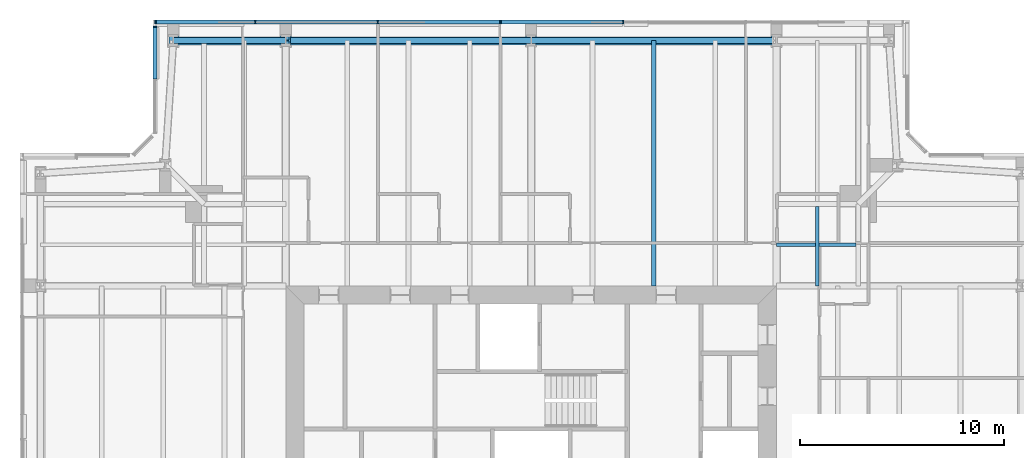
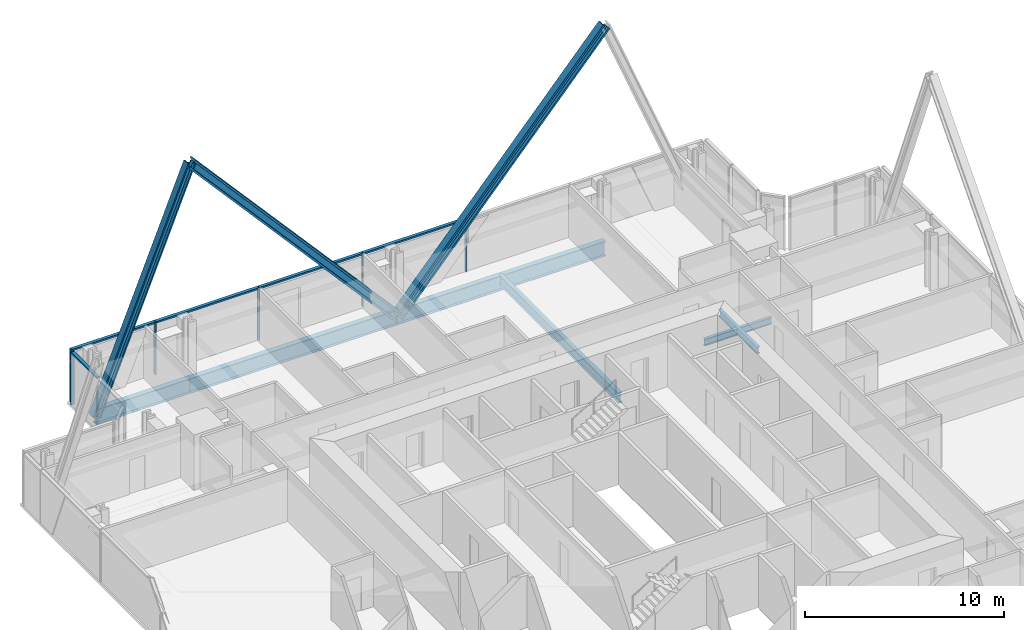
# One storey, part 8 of 20: 14 members, 7 beams, 2 elements without a shape of their own.
"""IFC4 building model written with IfcOpenShell, lengths in metres."""

from ifc_helpers import new_model, si_unit, direction, frame, origin, origin_2d, place, context, subcontext, project, spatial, rectangle, i_section, extrude, material, material_profile, profile_set, type_object, element, aggregate, save


model = new_model("IFC4")

# Units and contexts
model_context = context("Model", 3, precision=1e-05, world=origin(), true_north=direction((0.0, 1.0)))
body_context = subcontext(model_context, "Body", "Model", "MODEL_VIEW")
ifc_project = project(units=[si_unit("LENGTHUNIT", "METRE"), si_unit("AREAUNIT", "SQUARE_METRE"), si_unit("VOLUMEUNIT", "CUBIC_METRE"), si_unit("PLANEANGLEUNIT", "RADIAN"), si_unit("MASSUNIT", "GRAM", prefix="KILO")], contexts=[model_context])

# Site, building, storey
site_placement = place(None, origin())
site = spatial("IfcSite", under=ifc_project, at=site_placement, CompositionType="ELEMENT")
building_placement = place(site_placement, origin())
building = spatial("IfcBuilding", under=site, at=building_placement, Name="Fenwick Lantern Interchange", CompositionType="ELEMENT")
storey_placement = place(building_placement, frame((0.0, 0.0, 256.0)))
storey = spatial("IfcBuildingStorey", under=building, at=storey_placement, Name="L60", CompositionType="ELEMENT", Elevation=256.0)

# Beams
ifc_material_1 = material(Name="Steel ASTM A992 Grade 50", Category="steel")
ifc_material_profile_1 = material_profile(ifc_material_1, i_section(OverallWidth=0.3046875, OverallDepth=0.911865234375, WebThickness=0.015869140625, FlangeThickness=0.02392578125, at=origin_2d()), Name="W36X150")
ifc_profile_set_1 = profile_set([ifc_material_profile_1], Name="Steel ASTM A992 Grade 50")
beam_type_1 = type_object("IfcBeamType", Name="EDGE BEAM W36X150", PredefinedType="SPANDREL", material=ifc_profile_set_1)
for number, where, z_axis, x_axis, name in (
    (1, (37.0, 49.0, -0.60595703125), (-1.0, 0.0, 0.0), (0.0, -1.0, 0.0), "L60/FR/N/EB2"),
    (2, (25.0, 49.0, -0.60595703125), (-1.0, 0.0, 0.0), (0.0, -1.0, 0.0), "L60/FR/N/EB3"),
):
    element("IfcBeam", number, at=place(storey_placement, frame(where, z_axis=z_axis, x_axis=x_axis)), inside=storey, type_object=beam_type_1, Name=name, PredefinedType="SPANDREL", context=body_context, shape_type="SweptSolid", body=[
        extrude(i_section(OverallWidth=0.3046875, OverallDepth=0.911865234375, WebThickness=0.015869140625, FlangeThickness=0.02392578125, at=origin_2d()), origin(), (0.0, 0.0, 1.0), 12.0),
    ])
beam_1_placement = place(storey_placement, frame((13.0, 49.0, -0.60595703125), z_axis=(-1.0, 0.0, 0.0), x_axis=(0.0, -1.0, 0.0)))
element("IfcBeam", 3, at=beam_1_placement, inside=storey, type_object=beam_type_1, Name="L60/FR/N/EB4", PredefinedType="SPANDREL", context=body_context, shape_type="SweptSolid", body=[
    extrude(i_section(OverallWidth=0.3046875, OverallDepth=0.911865234375, WebThickness=0.015869140625, FlangeThickness=0.02392578125, at=origin_2d()), origin(), (0.0, 0.0, 1.0), 5.5),
])

# Members
ifc_material_profile_2 = material_profile(ifc_material_1, i_section(OverallWidth=0.424072265625, OverallDepth=0.47509765625, WebThickness=0.0478515625, FlangeThickness=0.0771484375, at=origin_2d()), Name="W14X426")
ifc_profile_set_2 = profile_set([ifc_material_profile_2], Name="Steel ASTM A992 Grade 50")
member_type_1 = type_object("IfcMemberType", Name="FACADE BRACE W14X426", PredefinedType="BRACE", material=ifc_profile_set_2)
member_1_placement = place(storey_placement, frame((7.5, 49.0, -0.60595703125), z_axis=(0.374911520251, 0.0, 0.927060597794), x_axis=(0.0, 1.0, 0.0)))
element("IfcMember", 4, at=member_1_placement, inside=storey, type_object=member_type_1, Name="L60/FB/N/BE", PredefinedType="BRACE", context=body_context, shape_type="SweptSolid", body=[
    extrude(i_section(OverallWidth=0.424072265625, OverallDepth=0.47509765625, WebThickness=0.0478515625, FlangeThickness=0.0771484375, at=origin_2d()), origin(), (0.0, 0.0, 1.0), 14.670166015625),
])
ifc_material_profile_3 = material_profile(ifc_material_1, i_section(OverallWidth=0.44189453125, OverallDepth=0.53076171875, WebThickness=0.06591796875, FlangeThickness=0.105712890625, at=origin_2d()), Name="W14X605")
ifc_profile_set_3 = profile_set([ifc_material_profile_3], Name="Steel ASTM A992 Grade 50")
member_type_2 = type_object("IfcMemberType", Name="FACADE BRACE W14X605", PredefinedType="BRACE", material=ifc_profile_set_3)
for number, where, z_axis, x_axis, name in (
    (5, (25.0, 49.0, -0.60595703125), (0.661618965899, 0.0, 0.749840212287), (0.0, 1.0, 0.0), "L60/FB/N/A"),
    (6, (25.0, 49.0, -0.60595703125), (-0.661618965899, 0.0, 0.749840212287), (0.0, -1.0, 0.0), "L60/FB/N/B"),
):
    element("IfcMember", number, at=place(storey_placement, frame(where, z_axis=z_axis, x_axis=x_axis)), inside=storey, type_object=member_type_2, Name=name, PredefinedType="BRACE", context=body_context, shape_type="SweptSolid", body=[
        extrude(i_section(OverallWidth=0.44189453125, OverallDepth=0.53076171875, WebThickness=0.06591796875, FlangeThickness=0.105712890625, at=origin_2d()), origin(), (0.0, 0.0, 1.0), 18.13720703125),
    ])

# Beam
ifc_material_profile_4 = material_profile(ifc_material_1, i_section(OverallWidth=0.22900390625, OverallDepth=0.612060546875, WebThickness=0.011962890625, FlangeThickness=0.01953125, at=origin_2d()), Name="W24X84")
ifc_profile_set_4 = profile_set([ifc_material_profile_4], Name="Steel ASTM A992 Grade 50")
beam_type_2 = type_object("IfcBeamType", Name="FLOOR BEAM W24X84", PredefinedType="BEAM", material=ifc_profile_set_4)
beam_2_placement = place(storey_placement, frame((31.0, 49.0, -0.4560546875), z_axis=(0.0, -1.0, 0.0), x_axis=(1.0, 0.0, 0.0)))
element("IfcBeam", 7, at=beam_2_placement, inside=storey, type_object=beam_type_2, Name="L60/FR/N/R03", PredefinedType="BEAM", context=body_context, shape_type="SweptSolid", body=[
    extrude(i_section(OverallWidth=0.22900390625, OverallDepth=0.612060546875, WebThickness=0.011962890625, FlangeThickness=0.01953125, at=origin_2d()), origin(), (0.0, 0.0, 1.0), 12.0),
])

# Curtain wall, members
ifc_material_2 = material(Name="Aluminium curtain wall frame", Category="aluminium")
curtain_wall_type = type_object("IfcCurtainWallType", Name="HOTEL CURTAIN WALL", PredefinedType="USERDEFINED", material=ifc_material_2)
curtain_wall_1_placement = place(storey_placement, origin())
curtain_wall_1 = element("IfcCurtainWall", 8, at=curtain_wall_1_placement, inside=storey, type_object=curtain_wall_type, Name="Hotel curtain wall 09", ObjectType="HOTEL CURTAIN WALL", PredefinedType="USERDEFINED")
ifc_material_3 = material(Name="Aluminium extrusion", Category="aluminium")
ifc_material_profile_5 = material_profile(ifc_material_3, rectangle(XDim=0.179931640625, YDim=0.06005859375, at=origin_2d()), Name="HOTEL CURTAIN WALL MULLION 60 X 180")
ifc_profile_set_5 = profile_set([ifc_material_profile_5], Name="Aluminium extrusion")
member_type_3 = type_object("IfcMemberType", Name="HOTEL CURTAIN WALL MULLION 60 X 180", PredefinedType="MULLION", material=ifc_profile_set_5)
member_2_placement = place(storey_placement, frame((29.5, 49.89990234375, 0.0), z_axis=(0.0, 0.0, 1.0), x_axis=(0.0, -1.0, 0.0)))
member_2 = element("IfcMember", 9, at=member_2_placement, type_object=member_type_3, Name="L60/CW/09/M03", PredefinedType="MULLION", context=body_context, shape_type="SweptSolid", body=[
    extrude(rectangle(XDim=0.179931640625, YDim=0.06005859375, at=origin_2d()), origin(), (0.0, 0.0, 1.0), 3.25),
])
member_3_placement = place(storey_placement, frame((23.5, 49.89990234375, 0.0), z_axis=(0.0, 0.0, 1.0), x_axis=(0.0, -1.0, 0.0)))
member_3 = element("IfcMember", 10, at=member_3_placement, type_object=member_type_3, Name="L60/CW/09/M04", PredefinedType="MULLION", context=body_context, shape_type="SweptSolid", body=[
    extrude(rectangle(XDim=0.179931640625, YDim=0.06005859375, at=origin_2d()), origin(), (0.0, 0.0, 1.0), 3.25),
])
member_4_placement = place(storey_placement, frame((17.5, 49.89990234375, 0.0), z_axis=(0.0, 0.0, 1.0), x_axis=(0.0, -1.0, 0.0)))
member_4 = element("IfcMember", 11, at=member_4_placement, type_object=member_type_3, Name="L60/CW/09/M05", PredefinedType="MULLION", context=body_context, shape_type="SweptSolid", body=[
    extrude(rectangle(XDim=0.179931640625, YDim=0.06005859375, at=origin_2d()), origin(), (0.0, 0.0, 1.0), 3.25),
])
member_5_placement = place(storey_placement, frame((11.5, 49.89990234375, 0.0), z_axis=(0.0, 0.0, 1.0), x_axis=(0.0, -1.0, 0.0)))
member_5 = element("IfcMember", 12, at=member_5_placement, type_object=member_type_3, Name="L60/CW/09/M06", PredefinedType="MULLION", context=body_context, shape_type="SweptSolid", body=[
    extrude(rectangle(XDim=0.179931640625, YDim=0.06005859375, at=origin_2d()), origin(), (0.0, 0.0, 1.0), 3.25),
])
member_6_placement = place(storey_placement, frame((6.6298828125, 49.89990234375, 0.0), z_axis=(0.0, 0.0, 1.0), x_axis=(0.0, -1.0, 0.0)))
member_6 = element("IfcMember", 13, at=member_6_placement, type_object=member_type_3, Name="L60/CW/09/M07", PredefinedType="MULLION", context=body_context, shape_type="SweptSolid", body=[
    extrude(rectangle(XDim=0.179931640625, YDim=0.06005859375, at=origin_2d()), origin(), (0.0, 0.0, 1.0), 3.25),
])

# Curtain wall, member
curtain_wall_2_placement = place(storey_placement, origin())
curtain_wall_2 = element("IfcCurtainWall", 14, at=curtain_wall_2_placement, inside=storey, type_object=curtain_wall_type, Name="Hotel curtain wall 10", ObjectType="HOTEL CURTAIN WALL", PredefinedType="USERDEFINED")
member_7_placement = place(storey_placement, frame((6.60009765625, 49.669921875, 0.0), z_axis=(0.0, 0.0, 1.0), x_axis=(1.0, 0.0, 0.0)))
member_7 = element("IfcMember", 15, at=member_7_placement, type_object=member_type_3, Name="L60/CW/10/M00", PredefinedType="MULLION", context=body_context, shape_type="SweptSolid", body=[
    extrude(rectangle(XDim=0.179931640625, YDim=0.06005859375, at=origin_2d()), origin(), (0.0, 0.0, 1.0), 3.25),
])

# Member
ifc_material_profile_6 = material_profile(ifc_material_3, rectangle(XDim=0.179931640625, YDim=0.10009765625, at=origin_2d()), Name="HOTEL CURTAIN WALL TRANSOM 100 X 180")
ifc_profile_set_6 = profile_set([ifc_material_profile_6], Name="Aluminium extrusion")
member_type_4 = type_object("IfcMemberType", Name="HOTEL CURTAIN WALL TRANSOM 100 X 180", PredefinedType="MULLION", material=ifc_profile_set_6)
member_8_placement = place(storey_placement, frame((29.469970703125, 49.89990234375, 3.199951171875), z_axis=(-1.0, 0.0, 0.0), x_axis=(0.0, -1.0, 0.0)))
member_8 = element("IfcMember", 16, at=member_8_placement, type_object=member_type_4, Name="L60/CW/09/T03", PredefinedType="MULLION", context=body_context, shape_type="SweptSolid", body=[
    extrude(rectangle(XDim=0.179931640625, YDim=0.10009765625, at=origin_2d()), origin(), (0.0, 0.0, 1.0), 5.93994140625),
])

member_9_placement = place(storey_placement, frame((23.469970703125, 49.89990234375, 3.199951171875), z_axis=(-1.0, 0.0, 0.0), x_axis=(0.0, -1.0, 0.0)))
member_9 = element("IfcMember", 17, at=member_9_placement, type_object=member_type_4, Name="L60/CW/09/T04", PredefinedType="MULLION", context=body_context, shape_type="SweptSolid", body=[
    extrude(rectangle(XDim=0.179931640625, YDim=0.10009765625, at=origin_2d()), origin(), (0.0, 0.0, 1.0), 5.93994140625),
])

member_10_placement = place(storey_placement, frame((17.469970703125, 49.89990234375, 3.199951171875), z_axis=(-1.0, 0.0, 0.0), x_axis=(0.0, -1.0, 0.0)))
member_10 = element("IfcMember", 18, at=member_10_placement, type_object=member_type_4, Name="L60/CW/09/T05", PredefinedType="MULLION", context=body_context, shape_type="SweptSolid", body=[
    extrude(rectangle(XDim=0.179931640625, YDim=0.10009765625, at=origin_2d()), origin(), (0.0, 0.0, 1.0), 5.93994140625),
])

member_11_placement = place(storey_placement, frame((11.469970703125, 49.89990234375, 3.199951171875), z_axis=(-1.0, 0.0, 0.0), x_axis=(0.0, -1.0, 0.0)))
member_11 = element("IfcMember", 19, at=member_11_placement, type_object=member_type_4, Name="L60/CW/09/T06", PredefinedType="MULLION", context=body_context, shape_type="SweptSolid", body=[
    extrude(rectangle(XDim=0.179931640625, YDim=0.10009765625, at=origin_2d()), origin(), (0.0, 0.0, 1.0), 4.81005859375),
])

aggregate(curtain_wall_1, [member_2, member_3, member_4, member_5, member_6, member_8, member_9, member_10, member_11])

member_12_placement = place(storey_placement, frame((6.60009765625, 49.639892578125, 3.199951171875), z_axis=(0.0, -1.0, 0.0), x_axis=(1.0, 0.0, 0.0)))
member_12 = element("IfcMember", 20, at=member_12_placement, type_object=member_type_4, Name="L60/CW/10/T00", PredefinedType="MULLION", context=body_context, shape_type="SweptSolid", body=[
    extrude(rectangle(XDim=0.179931640625, YDim=0.10009765625, at=origin_2d()), origin(), (0.0, 0.0, 1.0), 2.530517578125),
])

aggregate(curtain_wall_2, [member_7, member_12])

# Beams
ifc_material_profile_7 = material_profile(ifc_material_1, i_section(OverallWidth=0.177734375, OverallDepth=0.406494140625, WebThickness=0.0078125, FlangeThickness=0.012939453125, at=origin_2d()), Name="W16X40")
ifc_profile_set_7 = profile_set([ifc_material_profile_7], Name="Steel ASTM A992 Grade 50")
beam_type_3 = type_object("IfcBeamType", Name="INFILL BEAM W16X40", PredefinedType="JOIST", material=ifc_profile_set_7)
beam_3_placement = place(storey_placement, frame((39.0, 40.885498046875, -0.353271484375), z_axis=(0.0, -1.0, 0.0), x_axis=(1.0, 0.0, 0.0)))
element("IfcBeam", 21, at=beam_3_placement, inside=storey, type_object=beam_type_3, Name="L60/FR/N/J2", PredefinedType="JOIST", context=body_context, shape_type="SweptSolid", body=[
    extrude(i_section(OverallWidth=0.177734375, OverallDepth=0.406494140625, WebThickness=0.0078125, FlangeThickness=0.012939453125, at=origin_2d()), origin(), (0.0, 0.0, 1.0), 3.885498046875),
])
beam_4_placement = place(storey_placement, frame((40.885498046875, 39.0, -0.353271484375), z_axis=(-1.0, 0.0, 0.0), x_axis=(0.0, -1.0, 0.0)))
element("IfcBeam", 22, at=beam_4_placement, inside=storey, type_object=beam_type_3, Name="L60/FR/N/J4", PredefinedType="JOIST", context=body_context, shape_type="SweptSolid", body=[
    extrude(i_section(OverallWidth=0.177734375, OverallDepth=0.406494140625, WebThickness=0.0078125, FlangeThickness=0.012939453125, at=origin_2d()), origin(), (0.0, 0.0, 1.0), 1.796630859375),
])
beam_5_placement = place(storey_placement, frame((38.9111328125, 39.0, -0.353271484375), z_axis=(-1.0, 0.0, 0.0), x_axis=(0.0, -1.0, 0.0)))
element("IfcBeam", 23, at=beam_5_placement, inside=storey, type_object=beam_type_3, Name="L60/FR/N/J5", PredefinedType="JOIST", context=body_context, shape_type="SweptSolid", body=[
    extrude(i_section(OverallWidth=0.177734375, OverallDepth=0.406494140625, WebThickness=0.0078125, FlangeThickness=0.012939453125, at=origin_2d()), origin(), (0.0, 0.0, 1.0), 1.9111328125),
])

save(model, "model.ifc")
